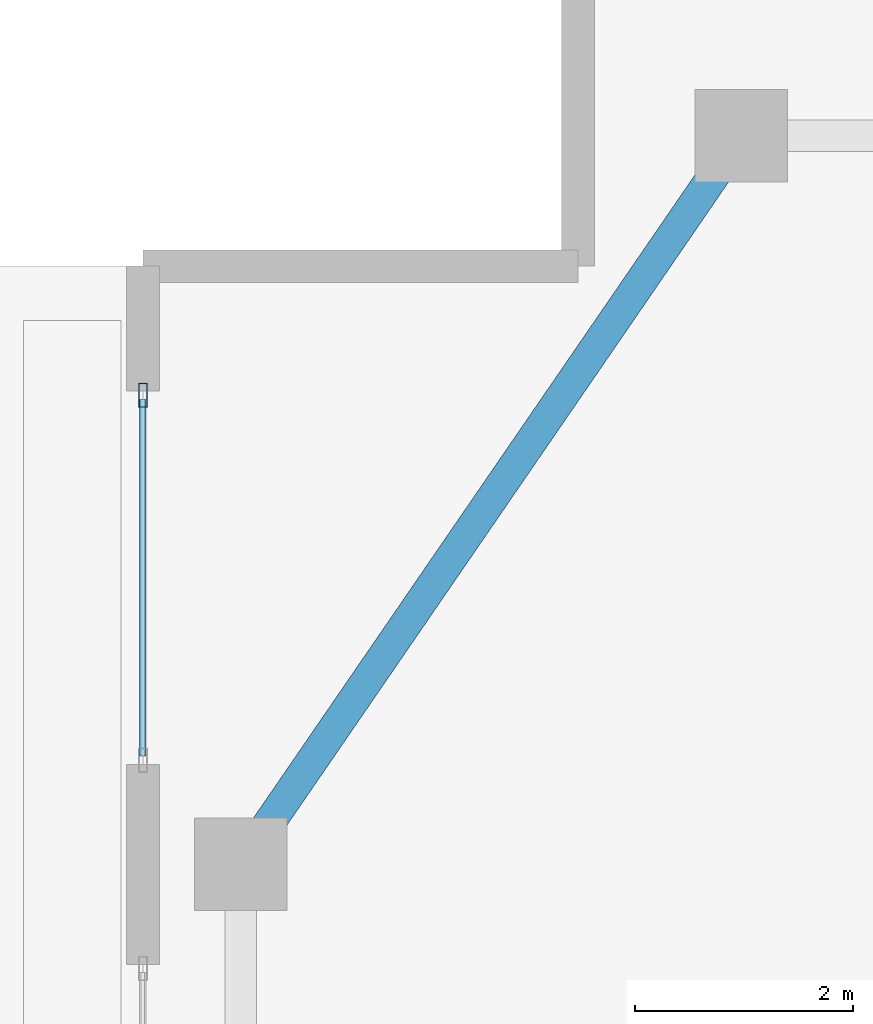
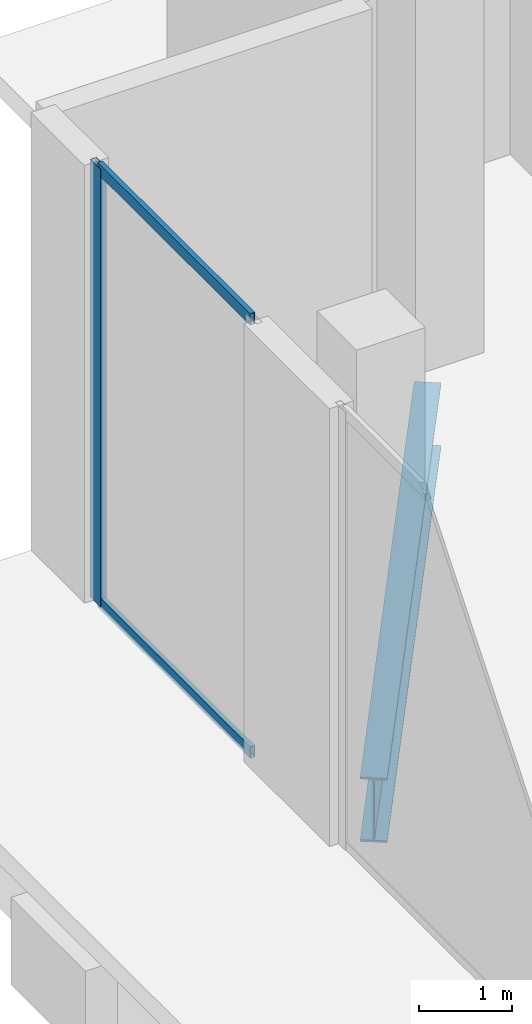
# One storey, part 13 of 39: 3 members, 1 beam, 1 element without a shape of its own.
"""IFC4 building model written with IfcOpenShell, lengths in metres."""

from ifc_helpers import new_model, si_unit, direction, frame, origin, origin_2d, place, context, subcontext, project, spatial, hollow_rectangle, i_section, extrude, material, layer, layer_set, material_profile, profile_set, type_object, element, aggregate, save


model = new_model("IFC4")

# Units and contexts
model_context = context("Model", 3, precision=1e-05, world=origin(), true_north=direction((0.0, 1.0)))
body_context = subcontext(model_context, "Body", "Model", "MODEL_VIEW")
ifc_project = project(units=[si_unit("LENGTHUNIT", "METRE"), si_unit("AREAUNIT", "SQUARE_METRE"), si_unit("VOLUMEUNIT", "CUBIC_METRE"), si_unit("PLANEANGLEUNIT", "RADIAN"), si_unit("MASSUNIT", "GRAM", prefix="KILO")], contexts=[model_context])

# Site, building, storey
site_placement = place(None, origin())
site = spatial("IfcSite", under=ifc_project, at=site_placement, CompositionType="ELEMENT")
building_placement = place(site_placement, origin())
building = spatial("IfcBuilding", under=site, at=building_placement, Name="Zuhayl Quay Hotel", CompositionType="ELEMENT")
storey_placement = place(building_placement, origin())
storey = spatial("IfcBuildingStorey", under=building, at=storey_placement, Name="L00", CompositionType="ELEMENT", Elevation=0.0)

# Beam
ifc_material_1 = material(Name="Steel ASTM A992 Grade 50", Category="steel")
ifc_material_profile_1 = material_profile(ifc_material_1, i_section(OverallWidth=0.2919921875, OverallDepth=0.845947265625, WebThickness=0.015380859375, FlangeThickness=0.0244140625, at=origin_2d()), Name="W33X141")
ifc_profile_set_1 = profile_set([ifc_material_profile_1], Name="Steel ASTM A992 Grade 50")
beam_type = type_object("IfcBeamType", Name="BM_PG3_W33X141", PredefinedType="BEAM", material=ifc_profile_set_1)
beam_placement = place(storey_placement, frame((-34.90771484375, 15.7802734375, -0.68310546875), z_axis=(0.566026455068, 0.824387076659, 0.0), x_axis=(-0.824387076659, 0.566026455068, 0.0)))
element("IfcBeam", 1, at=beam_placement, inside=storey, type_object=beam_type, Name="L00 Floor Beam PG_W_L00_3", PredefinedType="BEAM", context=body_context, shape_type="SweptSolid", body=[
    extrude(i_section(OverallWidth=0.2919921875, OverallDepth=0.845947265625, WebThickness=0.015380859375, FlangeThickness=0.0244140625, at=origin_2d()), origin(), (0.0, 0.0, 1.0), 7.447265625),
])

# Curtain wall, members
ifc_material_2 = material(Name="Anodised Aluminium 6063-T6", Category="aluminium")
ifc_layer = layer(ifc_material_2, 0.199951171875, Name="Anodised Aluminium 6063-T6", Category="aluminium")
ifc_layer_set = layer_set([ifc_layer], Name="Anodised Aluminium 6063-T6")
curtain_wall_type = type_object("IfcCurtainWallType", Name="CW_SYS_POD", PredefinedType="USERDEFINED", material=ifc_layer_set)
curtain_wall_placement = place(storey_placement, origin())
curtain_wall = element("IfcCurtainWall", 2, at=curtain_wall_placement, inside=storey, type_object=curtain_wall_type, Name="L00 Curtain Wall ENV_L00_E02_CW3", ObjectType="UNITISED CURTAIN WALL", PredefinedType="USERDEFINED")
ifc_material_3 = material(Name="Black-anodised aluminium 6063-T6", Category="aluminium")
ifc_material_profile_2 = material_profile(ifc_material_3, hollow_rectangle(XDim=0.074951171875, YDim=0.219970703125, WallThickness=0.00390625, at=origin_2d()), Name="ALU220X75")
ifc_profile_set_2 = profile_set([ifc_material_profile_2], Name="Black-anodised aluminium 6063-T6")
member_type_1 = type_object("IfcMemberType", Name="MB_CW_MUL_220", PredefinedType="MULLION", material=ifc_profile_set_2)
member_1_placement = place(storey_placement, frame((-36.0, 19.8125, 0.0), z_axis=(0.0, 0.0, 1.0), x_axis=(-1.0, 0.0, 0.0)))
member_1 = element("IfcMember", 3, at=member_1_placement, type_object=member_type_1, Name="CW-POD mullion 2", PredefinedType="MULLION", context=body_context, shape_type="SweptSolid", body=[
    extrude(hollow_rectangle(XDim=0.074951171875, YDim=0.219970703125, WallThickness=0.00390625, at=origin_2d()), origin(), (0.0, 0.0, 1.0), 5.75),
])
ifc_material_profile_3 = material_profile(ifc_material_3, hollow_rectangle(XDim=0.06005859375, YDim=0.14990234375, WallThickness=0.00341796875, at=origin_2d()), Name="ALU150X60")
ifc_profile_set_3 = profile_set([ifc_material_profile_3], Name="Black-anodised aluminium 6063-T6")
member_type_2 = type_object("IfcMemberType", Name="MB_CW_TRN_150", PredefinedType="USERDEFINED", material=ifc_profile_set_3)
member_2_placement = place(storey_placement, frame((-36.0, 16.4951171875, 0.030029296875), z_axis=(0.0, 1.0, 0.0), x_axis=(-1.0, 0.0, 0.0)))
member_2 = element("IfcMember", 4, at=member_2_placement, type_object=member_type_2, Name="CW-POD transom 1.1", ObjectType="TRANSOM", PredefinedType="USERDEFINED", context=body_context, shape_type="SweptSolid", body=[
    extrude(hollow_rectangle(XDim=0.06005859375, YDim=0.14990234375, WallThickness=0.00341796875, at=origin_2d()), origin(), (0.0, 0.0, 1.0), 3.27978515625),
])
member_3_placement = place(storey_placement, frame((-36.0, 16.4951171875, 5.719970703125), z_axis=(0.0, 1.0, 0.0), x_axis=(-1.0, 0.0, 0.0)))
member_3 = element("IfcMember", 5, at=member_3_placement, type_object=member_type_2, Name="CW-POD transom 1.2", ObjectType="TRANSOM", PredefinedType="USERDEFINED", context=body_context, shape_type="SweptSolid", body=[
    extrude(hollow_rectangle(XDim=0.06005859375, YDim=0.14990234375, WallThickness=0.00341796875, at=origin_2d()), origin(), (0.0, 0.0, 1.0), 3.27978515625),
])
aggregate(curtain_wall, [member_1, member_2, member_3])

save(model, "model.ifc")
